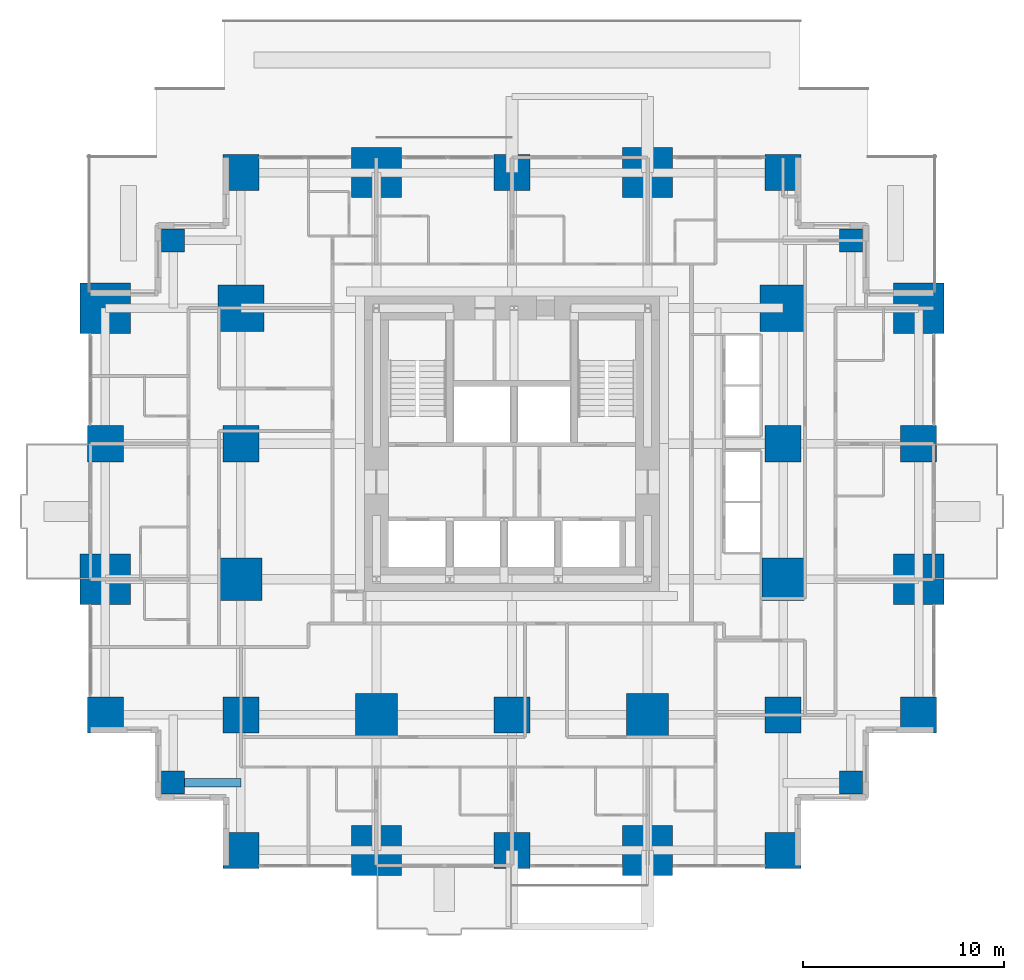
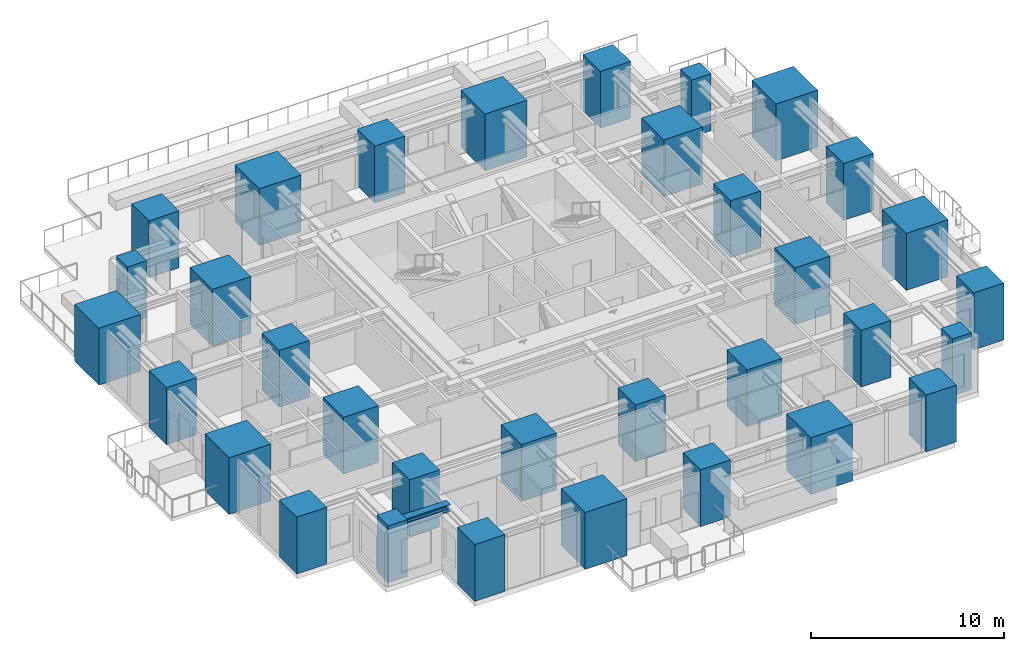
# One storey, part 1 of 12: 33 columns, 1 beam.
"""IFC4 building model written with IfcOpenShell, lengths in metres."""

from ifc_helpers import new_model, si_unit, direction, frame, origin, origin_2d, place, context, subcontext, project, spatial, rectangle, i_section, extrude, material, material_profile, profile_set, type_object, element, save


model = new_model("IFC4")

# Units and contexts
model_context = context("Model", 3, precision=1e-05, world=origin(), true_north=direction((0.0, 1.0)))
body_context = subcontext(model_context, "Body", "Model", "MODEL_VIEW")
ifc_project = project(units=[si_unit("LENGTHUNIT", "METRE"), si_unit("AREAUNIT", "SQUARE_METRE"), si_unit("VOLUMEUNIT", "CUBIC_METRE"), si_unit("PLANEANGLEUNIT", "RADIAN"), si_unit("MASSUNIT", "GRAM", prefix="KILO")], contexts=[model_context])

# Site, building, storey
site_placement = place(None, origin())
site = spatial("IfcSite", under=ifc_project, at=site_placement, CompositionType="ELEMENT")
building_placement = place(site_placement, origin())
building = spatial("IfcBuilding", under=site, at=building_placement, Name="Nyansa Garden Tower", CompositionType="ELEMENT")
storey_placement = place(building_placement, frame((0.0, 0.0, 80.10009765625)))
storey = spatial("IfcBuildingStorey", under=building, at=storey_placement, Name="L21", CompositionType="ELEMENT", Elevation=80.10009765625)

# Columns
ifc_material_1 = material(Name="Concrete C70/85", Category="concrete")
ifc_material_profile_1 = material_profile(ifc_material_1, rectangle(XDim=1.14990234375, YDim=1.14990234375, at=origin_2d()), Name="RC 1150x1150")
ifc_profile_set_1 = profile_set([ifc_material_profile_1], Name="Concrete C70/85")
column_type_1 = type_object("IfcColumnType", Name="Column C115 RC 1150x1150", PredefinedType="COLUMN", material=ifc_profile_set_1)
for number, where, z_axis, x_axis, name in (
    (1, (3.375, 3.375, 0.0), (0.0, 0.0, 1.0), (1.0, 0.0, 0.0), "Column x3.375/y3.375 L21"),
    (2, (3.375, 30.375, 0.0), (0.0, 0.0, 1.0), (1.0, 0.0, 0.0), "Column x3.375/y30.375 L21"),
    (3, (37.125, 3.375, 0.0), (0.0, 0.0, 1.0), (1.0, 0.0, 0.0), "Column x37.125/y3.375 L21"),
    (4, (37.125, 30.375, 0.0), (0.0, 0.0, 1.0), (1.0, 0.0, 0.0), "Column x37.125/y30.375 L21"),
):
    element("IfcColumn", number, at=place(storey_placement, frame(where, z_axis=z_axis, x_axis=x_axis)), inside=storey, type_object=column_type_1, Name=name, PredefinedType="COLUMN", context=body_context, shape_type="SweptSolid", body=[
        extrude(rectangle(XDim=1.14990234375, YDim=1.14990234375, at=origin_2d()), origin(), (0.0, 0.0, 1.0), 3.599853515625),
    ])
ifc_material_2 = material(Name="Concrete C80/95", Category="concrete")
ifc_material_profile_2 = material_profile(ifc_material_2, rectangle(XDim=1.800048828125, YDim=1.800048828125, at=origin_2d()), Name="RC 1800x1800")
ifc_profile_set_2 = profile_set([ifc_material_profile_2], Name="Concrete C80/95")
column_type_2 = type_object("IfcColumnType", Name="Column C180 RC 1800x1800", PredefinedType="COLUMN", material=ifc_profile_set_2)
for number, where, z_axis, x_axis, name in (
    (5, (0.0, 6.75, 0.0), (0.0, 0.0, 1.0), (1.0, 0.0, 0.0), "Column 2/E L21"),
    (6, (0.0, 20.25, 0.0), (0.0, 0.0, 1.0), (1.0, 0.0, 0.0), "Column 2/G L21"),
    (7, (6.75, 0.0, 0.0), (0.0, 0.0, 1.0), (1.0, 0.0, 0.0), "Column 3/D L21"),
    (8, (6.75, 6.75, 0.0), (0.0, 0.0, 1.0), (1.0, 0.0, 0.0), "Column 3/E L21"),
    (9, (6.75, 20.25, 0.0), (0.0, 0.0, 1.0), (1.0, 0.0, 0.0), "Column 3/G L21"),
    (10, (6.75, 33.75, 0.0), (0.0, 0.0, 1.0), (1.0, 0.0, 0.0), "Column 3/J L21"),
    (11, (20.25, 0.0, 0.0), (0.0, 0.0, 1.0), (1.0, 0.0, 0.0), "Column 5/D L21"),
    (12, (20.25, 6.75, 0.0), (0.0, 0.0, 1.0), (1.0, 0.0, 0.0), "Column 5/E L21"),
    (13, (20.25, 33.75, 0.0), (0.0, 0.0, 1.0), (1.0, 0.0, 0.0), "Column 5/J L21"),
    (14, (33.75, 0.0, 0.0), (0.0, 0.0, 1.0), (1.0, 0.0, 0.0), "Column 7/D L21"),
    (15, (33.75, 6.75, 0.0), (0.0, 0.0, 1.0), (1.0, 0.0, 0.0), "Column 7/E L21"),
    (16, (33.75, 20.25, 0.0), (0.0, 0.0, 1.0), (1.0, 0.0, 0.0), "Column 7/G L21"),
    (17, (33.75, 33.75, 0.0), (0.0, 0.0, 1.0), (1.0, 0.0, 0.0), "Column 7/J L21"),
    (18, (40.5, 6.75, 0.0), (0.0, 0.0, 1.0), (1.0, 0.0, 0.0), "Column 8/E L21"),
    (19, (40.5, 20.25, 0.0), (0.0, 0.0, 1.0), (1.0, 0.0, 0.0), "Column 8/G L21"),
):
    element("IfcColumn", number, at=place(storey_placement, frame(where, z_axis=z_axis, x_axis=x_axis)), inside=storey, type_object=column_type_2, Name=name, PredefinedType="COLUMN", context=body_context, shape_type="SweptSolid", body=[
        extrude(rectangle(XDim=1.800048828125, YDim=1.800048828125, at=origin_2d()), origin(), (0.0, 0.0, 1.0), 3.599853515625),
    ])
ifc_material_3 = material(Name="Concrete C80/95", Category="concrete")
ifc_material_profile_3 = material_profile(ifc_material_3, rectangle(XDim=2.10009765625, YDim=2.10009765625, at=origin_2d()), Name="RC 2100x2100")
ifc_profile_set_3 = profile_set([ifc_material_profile_3], Name="Concrete C80/95")
column_type_3 = type_object("IfcColumnType", Name="Column C210 RC 2100x2100", PredefinedType="COLUMN", material=ifc_profile_set_3)
for number, where, z_axis, x_axis, name in (
    (20, (6.75, 13.5, 0.0), (0.0, 0.0, 1.0), (1.0, 0.0, 0.0), "Column 3/F L21"),
    (21, (13.5, 6.75, 0.0), (0.0, 0.0, 1.0), (1.0, 0.0, 0.0), "Column 4/E L21"),
    (22, (27.0, 6.75, 0.0), (0.0, 0.0, 1.0), (1.0, 0.0, 0.0), "Column 6/E L21"),
    (23, (33.75, 13.5, 0.0), (0.0, 0.0, 1.0), (1.0, 0.0, 0.0), "Column 7/F L21"),
):
    element("IfcColumn", number, at=place(storey_placement, frame(where, z_axis=z_axis, x_axis=x_axis)), inside=storey, type_object=column_type_3, Name=name, PredefinedType="COLUMN", context=body_context, shape_type="SweptSolid", body=[
        extrude(rectangle(XDim=2.10009765625, YDim=2.10009765625, at=origin_2d()), origin(), (0.0, 0.0, 1.0), 3.599853515625),
    ])
ifc_material_4 = material(Name="Concrete C80/95", Category="concrete")
ifc_material_profile_4 = material_profile(ifc_material_4, rectangle(XDim=2.300048828125, YDim=2.300048828125, at=origin_2d()), Name="RC 2300x2300")
ifc_profile_set_4 = profile_set([ifc_material_profile_4], Name="Concrete C80/95")
column_type_4 = type_object("IfcColumnType", Name="Column C230 RC 2300x2300", PredefinedType="COLUMN", material=ifc_profile_set_4)
for number, where, z_axis, x_axis, name in (
    (24, (6.75, 27.0, 0.0), (0.0, 0.0, 1.0), (1.0, 0.0, 0.0), "Column 3/H L21"),
    (25, (33.75, 27.0, 0.0), (0.0, 0.0, 1.0), (1.0, 0.0, 0.0), "Column 7/H L21"),
):
    element("IfcColumn", number, at=place(storey_placement, frame(where, z_axis=z_axis, x_axis=x_axis)), inside=storey, type_object=column_type_4, Name=name, PredefinedType="COLUMN", context=body_context, shape_type="SweptSolid", body=[
        extrude(rectangle(XDim=2.300048828125, YDim=2.300048828125, at=origin_2d()), origin(), (0.0, 0.0, 1.0), 3.599853515625),
    ])
ifc_material_5 = material(Name="Concrete C80/95", Category="concrete")
ifc_material_profile_5 = material_profile(ifc_material_5, rectangle(XDim=2.5, YDim=2.5, at=origin_2d()), Name="RC 2500x2500")
ifc_profile_set_5 = profile_set([ifc_material_profile_5], Name="Concrete C80/95")
column_type_5 = type_object("IfcColumnType", Name="Column C250 RC 2500x2500", PredefinedType="COLUMN", material=ifc_profile_set_5)
for number, where, z_axis, x_axis, name in (
    (26, (0.0, 13.5, 0.0), (0.0, 0.0, 1.0), (1.0, 0.0, 0.0), "Column 2/F L21"),
    (27, (0.0, 27.0, 0.0), (0.0, 0.0, 1.0), (1.0, 0.0, 0.0), "Column 2/H L21"),
    (28, (13.5, 0.0, 0.0), (0.0, 0.0, 1.0), (1.0, 0.0, 0.0), "Column 4/D L21"),
    (29, (13.5, 33.75, 0.0), (0.0, 0.0, 1.0), (1.0, 0.0, 0.0), "Column 4/J L21"),
    (30, (27.0, 0.0, 0.0), (0.0, 0.0, 1.0), (1.0, 0.0, 0.0), "Column 6/D L21"),
    (31, (27.0, 33.75, 0.0), (0.0, 0.0, 1.0), (1.0, 0.0, 0.0), "Column 6/J L21"),
    (32, (40.5, 13.5, 0.0), (0.0, 0.0, 1.0), (1.0, 0.0, 0.0), "Column 8/F L21"),
    (33, (40.5, 27.0, 0.0), (0.0, 0.0, 1.0), (1.0, 0.0, 0.0), "Column 8/H L21"),
):
    element("IfcColumn", number, at=place(storey_placement, frame(where, z_axis=z_axis, x_axis=x_axis)), inside=storey, type_object=column_type_5, Name=name, PredefinedType="COLUMN", context=body_context, shape_type="SweptSolid", body=[
        extrude(rectangle(XDim=2.5, YDim=2.5, at=origin_2d()), origin(), (0.0, 0.0, 1.0), 3.599853515625),
    ])

# Beam
ifc_material_6 = material(Name="Steel S355", Category="steel")
ifc_material_profile_6 = material_profile(ifc_material_6, i_section(OverallWidth=0.431884765625, OverallDepth=0.498046875, WebThickness=0.0556640625, FlangeThickness=0.0888671875, FilletRadius=0.014892578125, at=origin_2d()), Name="HD 400x744")
ifc_profile_set_6 = profile_set([ifc_material_profile_6], Name="Steel S355")
beam_type = type_object("IfcBeamType", Name="Steel beam SSB1-744 HD 400x744", PredefinedType="BEAM", material=ifc_profile_set_6)
beam_placement = place(storey_placement, frame((3.375, 3.375, 3.1259765625), z_axis=(1.0, 0.0, 0.0), x_axis=(0.0, 1.0, 0.0)))
element("IfcBeam", 34, at=beam_placement, inside=storey, type_object=beam_type, Name="Steel step beam 3.375/3.375 L22", PredefinedType="BEAM", context=body_context, shape_type="SweptSolid", body=[
    extrude(i_section(OverallWidth=0.431884765625, OverallDepth=0.498046875, WebThickness=0.0556640625, FlangeThickness=0.0888671875, FilletRadius=0.014892578125, at=origin_2d()), origin(), (0.0, 0.0, 1.0), 3.375),
])

save(model, "model.ifc")
